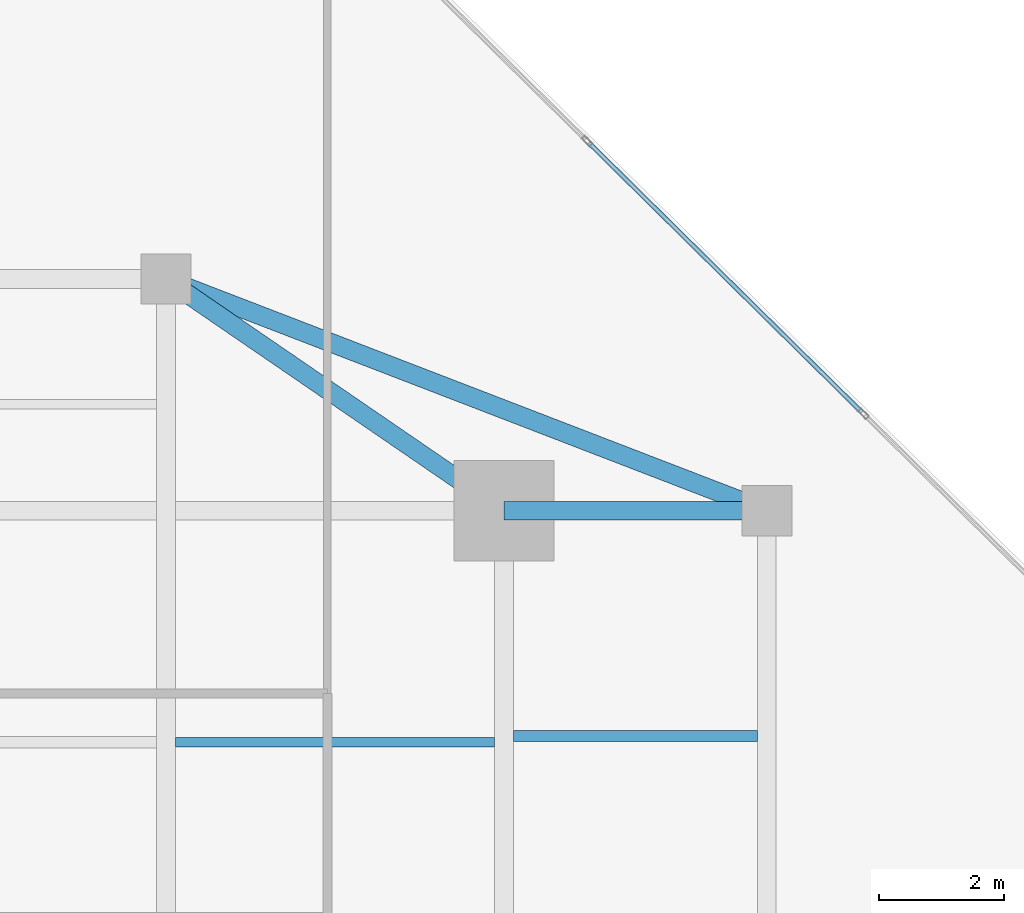
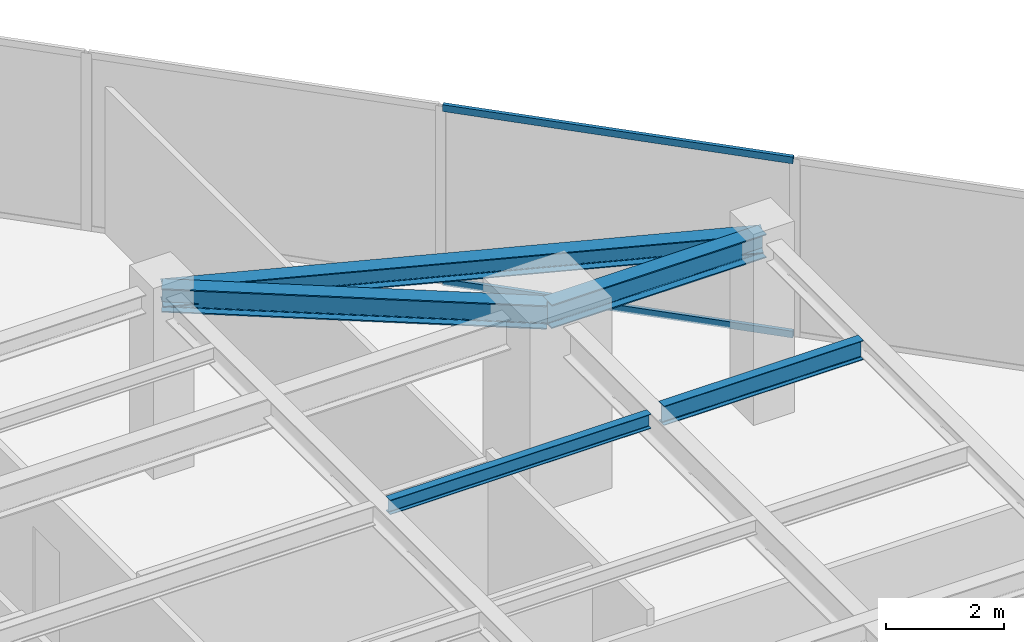
# One storey, part 17 of 24: 5 beams, 2 members, 1 element without a shape of its own.
"""IFC4 building model written with IfcOpenShell, lengths in metres."""

from ifc_helpers import new_model, si_unit, direction, frame, origin, origin_2d, place, context, subcontext, project, spatial, hollow_rectangle, i_section, extrude, source, transform, mapped, material, material_profile, profile_set, type_object, type_shapes, element, aggregate, save


model = new_model("IFC4")

# Units and contexts
model_context = context("Model", 3, precision=1e-05, world=origin(), true_north=direction((0.0, 1.0)))
body_context = subcontext(model_context, "Body", "Model", "MODEL_VIEW")
ifc_project = project(units=[si_unit("LENGTHUNIT", "METRE"), si_unit("AREAUNIT", "SQUARE_METRE"), si_unit("VOLUMEUNIT", "CUBIC_METRE"), si_unit("PLANEANGLEUNIT", "RADIAN"), si_unit("MASSUNIT", "GRAM", prefix="KILO")], contexts=[model_context])

# Site, building, storey
site_placement = place(None, origin())
site = spatial("IfcSite", under=ifc_project, at=site_placement, CompositionType="ELEMENT")
building_placement = place(site_placement, origin())
building = spatial("IfcBuilding", under=site, at=building_placement, Name="Krantzveldt Concourse Tower", CompositionType="ELEMENT")
storey_placement = place(building_placement, frame((0.0, 0.0, 234.949951171875)))
storey = spatial("IfcBuildingStorey", under=building, at=storey_placement, Name="L57", CompositionType="ELEMENT", Elevation=234.949951171875)

# Beams
ifc_material_1 = material(Name="Steel S355JR", Category="steel")
ifc_material_profile_1 = material_profile(ifc_material_1, i_section(OverallWidth=0.300048828125, OverallDepth=0.389892578125, WebThickness=0.010986328125, FlangeThickness=0.01904296875, FilletRadius=0.027099609375, at=origin_2d()), Name="Steel S355JR", Category="steel")
ifc_profile_set_1 = profile_set([ifc_material_profile_1], Name="Steel S355JR - HEA 400")
beam_type_1 = type_object("IfcBeamType", Name="BM-SP-HEA400", PredefinedType="SPANDREL", material=ifc_profile_set_1)
shared_shape_1 = source(origin(), body_context, "Body", "SweptSolid", [
    extrude(i_section(OverallWidth=0.300048828125, OverallDepth=0.389892578125, WebThickness=0.010986328125, FlangeThickness=0.01904296875, FilletRadius=0.027099609375, at=origin_2d()), origin(), (0.0, 0.0, 1.0), 10.288330078125),
])
type_shapes(beam_type_1, [shared_shape_1])
beam_1_placement = place(storey_placement, frame((41.39990234375, 41.199951171875, 3.47509765625), z_axis=(0.933097690408, -0.359622997257, 0.0), x_axis=(0.359622997257, 0.933097690408, 0.0)))
element("IfcBeam", 1, at=beam_1_placement, inside=storey, type_object=beam_type_1, Name="L57 Tower Girder SP-R05", PredefinedType="SPANDREL", context=body_context, shape_type="MappedRepresentation", body=[
    mapped(shared_shape_1, transform((0.0, 0.0, 0.0), x_axis=(1.0, 0.0, 0.0), y_axis=(0.0, 1.0, 0.0), z_axis=(0.0, 0.0, 1.0), scale=1.0)),
])
ifc_material_profile_2 = material_profile(ifc_material_1, i_section(OverallWidth=0.300048828125, OverallDepth=0.489990234375, WebThickness=0.011962890625, FlangeThickness=0.02294921875, FilletRadius=0.027099609375, at=origin_2d()), Name="Steel S355JR", Category="steel")
ifc_profile_set_2 = profile_set([ifc_material_profile_2], Name="Steel S355JR - HEA 500")
beam_type_2 = type_object("IfcBeamType", Name="BM-B-HEA500", PredefinedType="BEAM", material=ifc_profile_set_2)
shared_shape_2 = source(origin(), body_context, "Body", "SweptSolid", [
    extrude(i_section(OverallWidth=0.300048828125, OverallDepth=0.489990234375, WebThickness=0.011962890625, FlangeThickness=0.02294921875, FilletRadius=0.027099609375, at=origin_2d()), origin(), (0.0, 0.0, 1.0), 4.199951171875),
])
beam_2_placement = place(storey_placement, frame((46.800048828125, 37.5, 3.425048828125), z_axis=(1.0, 0.0, 0.0), x_axis=(0.0, 1.0, 0.0)))
element("IfcBeam", 2, at=beam_2_placement, inside=storey, type_object=beam_type_2, Name="L57 Tower Girder BR-RR3", PredefinedType="BEAM", context=body_context, shape_type="MappedRepresentation", body=[
    mapped(shared_shape_2, transform((0.0, 0.0, 0.0), x_axis=(1.0, 0.0, 0.0), y_axis=(0.0, 1.0, 0.0), z_axis=(0.0, 0.0, 1.0), scale=1.0)),
])
shared_shape_3 = source(origin(), body_context, "Body", "SweptSolid", [
    extrude(i_section(OverallWidth=0.300048828125, OverallDepth=0.489990234375, WebThickness=0.011962890625, FlangeThickness=0.02294921875, FilletRadius=0.027099609375, at=origin_2d()), origin(), (0.0, 0.0, 1.0), 6.546142578125),
])
type_shapes(beam_type_2, [shared_shape_2, shared_shape_3])
beam_3_placement = place(storey_placement, frame((46.800048828125, 37.5, 3.425048828125), z_axis=(-0.824942999484, 0.565215930068, 0.0), x_axis=(-0.565215930068, -0.824942999484, 0.0)))
element("IfcBeam", 3, at=beam_3_placement, inside=storey, type_object=beam_type_2, Name="L57 Tower Girder BR-RR4", PredefinedType="BEAM", context=body_context, shape_type="MappedRepresentation", body=[
    mapped(shared_shape_3, transform((0.0, 0.0, 0.0), x_axis=(1.0, 0.0, 0.0), y_axis=(0.0, 1.0, 0.0), z_axis=(0.0, 0.0, 1.0), scale=1.0)),
])
ifc_material_profile_3 = material_profile(ifc_material_1, i_section(OverallWidth=0.14990234375, OverallDepth=0.300048828125, WebThickness=0.007080078125, FlangeThickness=0.0107421875, FilletRadius=0.014892578125, at=origin_2d()), Name="Steel S355JR", Category="steel")
ifc_profile_set_3 = profile_set([ifc_material_profile_3], Name="Steel S355JR - IPE 300")
beam_type_3 = type_object("IfcBeamType", Name="BM-J-IPE300", PredefinedType="JOIST", material=ifc_profile_set_3)
shared_shape_4 = source(origin(), body_context, "Body", "SweptSolid", [
    extrude(i_section(OverallWidth=0.14990234375, OverallDepth=0.300048828125, WebThickness=0.007080078125, FlangeThickness=0.0107421875, FilletRadius=0.014892578125, at=origin_2d()), origin(), (0.0, 0.0, 1.0), 5.099853515625),
])
type_shapes(beam_type_3, [shared_shape_4])
beam_4_placement = place(storey_placement, frame((41.550048828125, 33.800048828125, 3.52001953125), z_axis=(1.0, 0.0, 0.0), x_axis=(0.0, 1.0, 0.0)))
element("IfcBeam", 4, at=beam_4_placement, inside=storey, type_object=beam_type_3, Name="L57 Secondary Floor Joist JN-E2", PredefinedType="JOIST", context=body_context, shape_type="MappedRepresentation", body=[
    mapped(shared_shape_4, transform((0.0, 0.0, 0.0), x_axis=(1.0, 0.0, 0.0), y_axis=(0.0, 1.0, 0.0), z_axis=(0.0, 0.0, 1.0), scale=1.0)),
])
ifc_material_profile_4 = material_profile(ifc_material_1, i_section(OverallWidth=0.179931640625, OverallDepth=0.39990234375, WebThickness=0.008544921875, FlangeThickness=0.013427734375, FilletRadius=0.02099609375, at=origin_2d()), Name="Steel S355JR", Category="steel")
ifc_profile_set_4 = profile_set([ifc_material_profile_4], Name="Steel S355JR - IPE 400")
beam_type_4 = type_object("IfcBeamType", Name="BM-J-IPE400", PredefinedType="JOIST", material=ifc_profile_set_4)
shared_shape_5 = source(origin(), body_context, "Body", "SweptSolid", [
    extrude(i_section(OverallWidth=0.179931640625, OverallDepth=0.39990234375, WebThickness=0.008544921875, FlangeThickness=0.013427734375, FilletRadius=0.02099609375, at=origin_2d()), origin(), (0.0, 0.0, 1.0), 3.900146484375),
])
type_shapes(beam_type_4, [shared_shape_5])
beam_5_placement = place(storey_placement, frame((46.949951171875, 33.89990234375, 3.469970703125), z_axis=(1.0, 0.0, 0.0), x_axis=(0.0, 1.0, 0.0)))
element("IfcBeam", 5, at=beam_5_placement, inside=storey, type_object=beam_type_4, Name="L57 Secondary Floor Joist JE-4", PredefinedType="JOIST", context=body_context, shape_type="MappedRepresentation", body=[
    mapped(shared_shape_5, transform((0.0, 0.0, 0.0), x_axis=(1.0, 0.0, 0.0), y_axis=(0.0, 1.0, 0.0), z_axis=(0.0, 0.0, 1.0), scale=1.0)),
])

# Curtain wall, members
ifc_material_2 = material(Name="Anodised aluminium 6063-T6", Category="aluminium")
curtain_wall_type = type_object("IfcCurtainWallType", Name="CW3", PredefinedType="USERDEFINED", material=ifc_material_2)
curtain_wall_placement = place(storey_placement, origin())
curtain_wall = element("IfcCurtainWall", 6, at=curtain_wall_placement, inside=storey, type_object=curtain_wall_type, Name="CW-L57-F10", ObjectType="UNITISED CURTAIN WALL", PredefinedType="USERDEFINED")
ifc_material_profile_5 = material_profile(ifc_material_2, hollow_rectangle(XDim=0.070068359375, YDim=0.139892578125, WallThickness=0.0048828125, at=origin_2d()), Name="Anodised aluminium 6063-T6", Category="aluminium")
ifc_profile_set_5 = profile_set([ifc_material_profile_5], Name="Anodised aluminium 6063-T6 - ALU-TRAN 140x70x5")
member_type = type_object("IfcMemberType", Name="CW-TRN-150", PredefinedType="USERDEFINED", material=ifc_profile_set_5)
shared_shape_6 = source(origin(), body_context, "Body", "SweptSolid", [
    extrude(hollow_rectangle(XDim=0.070068359375, YDim=0.139892578125, WallThickness=0.0048828125, at=origin_2d()), origin(), (0.0, 0.0, 1.0), 6.1298828125),
])
type_shapes(member_type, [shared_shape_6])
member_1_placement = place(storey_placement, frame((52.518798828125, 39.0732421875, 0.03515625), z_axis=(-0.711751205144, 0.702431649327, 0.0), x_axis=(-0.702431649327, -0.711751205144, 0.0)))
member_1 = element("IfcMember", 7, at=member_1_placement, type_object=member_type, Name="CW-Z34 transom 3.1", ObjectType="TRANSOM", PredefinedType="USERDEFINED", context=body_context, shape_type="MappedRepresentation", body=[
    mapped(shared_shape_6, transform((0.0, 0.0, 0.0), x_axis=(1.0, 0.0, 0.0), y_axis=(0.0, 1.0, 0.0), z_axis=(0.0, 0.0, 1.0), scale=1.0)),
])
member_2_placement = place(storey_placement, frame((52.518798828125, 39.0732421875, 3.635009765625), z_axis=(-0.711751205144, 0.702431649327, 0.0), x_axis=(-0.702431649327, -0.711751205144, 0.0)))
member_2 = element("IfcMember", 8, at=member_2_placement, type_object=member_type, Name="CW-Z34 transom 3.2", ObjectType="TRANSOM", PredefinedType="USERDEFINED", context=body_context, shape_type="MappedRepresentation", body=[
    mapped(shared_shape_6, transform((0.0, 0.0, 0.0), x_axis=(1.0, 0.0, 0.0), y_axis=(0.0, 1.0, 0.0), z_axis=(0.0, 0.0, 1.0), scale=1.0)),
])
aggregate(curtain_wall, [member_1, member_2])

save(model, "model.ifc")
